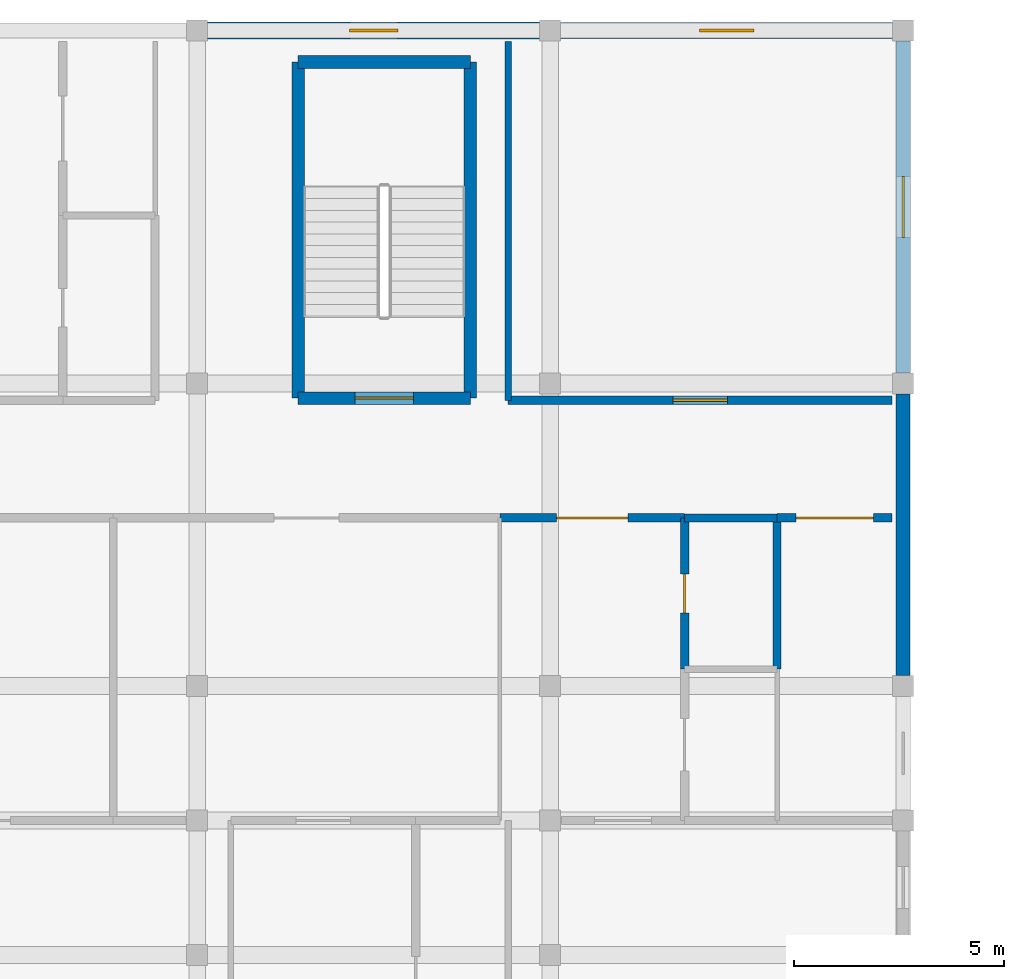
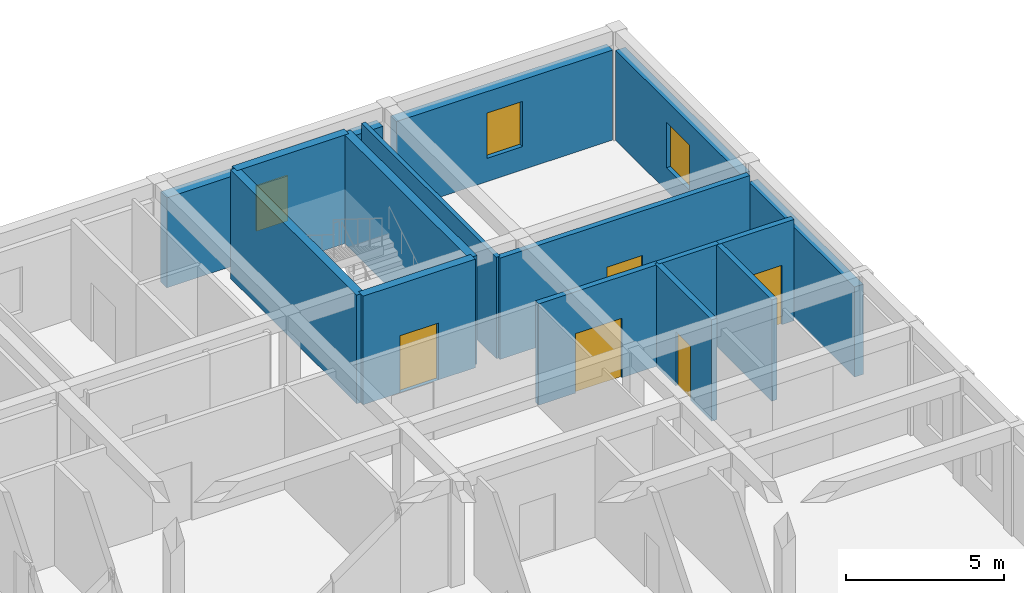
# One storey, part 18 of 26: 15 walls, 5 doors, 3 windows, 8 openings.
"""IFC4 building model written with IfcOpenShell, lengths in metres."""

from ifc_helpers import new_model, si_unit, direction, frame, frame_2d, origin, place, context, subcontext, project, spatial, rectangle, extrude, material, layer, layer_set, type_object, element, fill, save


model = new_model("IFC4")

# Units and contexts
model_context = context("Model", 3, precision=1e-05, world=origin(), true_north=direction((0.0, 1.0)))
body_context = subcontext(model_context, "Body", "Model", "MODEL_VIEW")
ifc_project = project(units=[si_unit("LENGTHUNIT", "METRE"), si_unit("AREAUNIT", "SQUARE_METRE"), si_unit("VOLUMEUNIT", "CUBIC_METRE"), si_unit("PLANEANGLEUNIT", "RADIAN"), si_unit("MASSUNIT", "GRAM", prefix="KILO")], contexts=[model_context])

# Site, building, storey
site_placement = place(None, origin())
site = spatial("IfcSite", under=ifc_project, at=site_placement, CompositionType="ELEMENT")
building_placement = place(site_placement, origin())
building = spatial("IfcBuilding", under=site, at=building_placement, Name="Varncliffe General Hospital", CompositionType="ELEMENT")
storey_placement = place(building_placement, frame((0.0, 0.0, 28.800048828125)))
storey = spatial("IfcBuildingStorey", under=building, at=storey_placement, Name="L06", CompositionType="ELEMENT", Elevation=28.800048828125)

# Wall, opening, window
ifc_material_1 = material(Name="Precast concrete C40/50 with insulated cream lime-cement stucco", Category="concrete")
ifc_layer_1 = layer(ifc_material_1, 0.3798828125)
ifc_layer_set_1 = layer_set([ifc_layer_1], Name="Precast concrete C40/50 with insulated cream lime-cement stucco")
wall_type_1 = type_object("IfcWallType", Name="Exterior Insulated Stucco Wall EW26 (380mm)", PredefinedType="SOLIDWALL", material=ifc_layer_set_1)
wall_1_placement = place(storey_placement, frame((168.248046875, 124.800048828125, 0.0), z_axis=(0.0, 0.0, 1.0), x_axis=(1.0, 0.0, 0.0)))
wall_1 = element("IfcWall", 1, at=wall_1_placement, inside=storey, type_object=wall_type_1, Name="L06 Exterior Stucco Wall EW26-524", PredefinedType="SOLIDWALL", context=body_context, shape_type="SweptSolid", body=[
    extrude(rectangle(XDim=7.904052734375, YDim=0.3798828125, at=frame_2d((3.9521484375, 0.0))), origin(), (0.0, 0.0, 1.0), 3.47998046875),
])
opening_1_placement = place(wall_1_placement, frame((3.302001953125, 0.0, 0.89990234375)))
opening_1 = element("IfcOpeningElement", 2, at=opening_1_placement, cuts=wall_1, Name="Opening WN40", PredefinedType="OPENING", context=body_context, shape_type="SweptSolid", body=[
    extrude(rectangle(XDim=1.300048828125, YDim=1.75, at=frame_2d((0.64990234375, 0.875))), frame((0.0, 0.199951171875, 0.0), z_axis=(0.0, -1.0, 0.0), x_axis=(1.0, 0.0, 0.0)), (0.0, 0.0, 1.0), 0.39990234375),
])
ifc_material_2 = material(Name="Triple low-E argon insulated vision glazing", Category="glass")
window_type_1 = type_object("IfcWindowType", Name="Triple-Glazed Hospital Window WN40 (1300x1750)", PartitioningType="SINGLE_PANEL", PredefinedType="WINDOW", material=ifc_material_2)
window_1_placement = place(opening_1_placement, origin())
window_1 = element("IfcWindow", 3, at=window_1_placement, inside=storey, type_object=window_type_1, Name="L06 Hospital Window WN40-413", OverallHeight=1.75, OverallWidth=1.300048828125, PartitioningType="SINGLE_PANEL", PredefinedType="WINDOW", context=body_context, shape_type="SweptSolid", body=[
    extrude(rectangle(XDim=1.300048828125, YDim=1.75, at=frame_2d((0.64990234375, 0.875))), frame((0.0, 0.030029296875, 0.0), z_axis=(0.0, -1.0, 0.0), x_axis=(1.0, 0.0, 0.0)), (0.0, 0.0, 1.0), 0.06005859375),
])
fill(opening_1, window_1)

# Wall
ifc_layer_2 = layer(ifc_material_1, 0.330078125)
ifc_layer_set_2 = layer_set([ifc_layer_2], Name="Precast concrete C40/50 with insulated cream lime-cement stucco")
wall_type_2 = type_object("IfcWallType", Name="Exterior Insulated Stucco Wall EW33 (330mm)", PredefinedType="SOLIDWALL", material=ifc_layer_set_2)
wall_2_placement = place(storey_placement, frame((176.39990234375, 116.152099609375, 0.0), z_axis=(0.0, 0.0, 1.0), x_axis=(0.0, -1.0, 0.0)))
element("IfcWall", 4, at=wall_2_placement, inside=storey, type_object=wall_type_2, Name="L06 Exterior Stucco Wall EW33-526", PredefinedType="SOLIDWALL", context=body_context, shape_type="SweptSolid", body=[
    extrude(rectangle(XDim=6.7041015625, YDim=0.330078125, at=frame_2d((3.35205078125, 0.0))), origin(), (0.0, 0.0, 1.0), 3.47998046875),
])

# Wall, opening, window
ifc_layer_3 = layer(ifc_material_1, 0.35009765625)
ifc_layer_set_3 = layer_set([ifc_layer_3], Name="Precast concrete C40/50 with insulated cream lime-cement stucco")
wall_type_3 = type_object("IfcWallType", Name="Exterior Insulated Stucco Wall EW37 (350mm)", PredefinedType="SOLIDWALL", material=ifc_layer_set_3)
wall_3_placement = place(storey_placement, frame((176.39990234375, 124.552001953125, 0.0), z_axis=(0.0, 0.0, 1.0), x_axis=(0.0, -1.0, 0.0)))
wall_3 = element("IfcWall", 5, at=wall_3_placement, inside=storey, type_object=wall_type_3, Name="L06 Exterior Stucco Wall EW37-525", PredefinedType="SOLIDWALL", context=body_context, shape_type="SweptSolid", body=[
    extrude(rectangle(XDim=7.904052734375, YDim=0.35009765625, at=frame_2d((3.9521484375, 0.0))), origin(), (0.0, 0.0, 1.0), 3.47998046875),
])
opening_2_placement = place(wall_3_placement, frame((3.22705078125, 0.0, 0.89990234375)))
opening_2 = element("IfcOpeningElement", 6, at=opening_2_placement, cuts=wall_3, Name="Opening WN88", PredefinedType="OPENING", context=body_context, shape_type="SweptSolid", body=[
    extrude(rectangle(XDim=1.449951171875, YDim=1.75, at=frame_2d((0.72509765625, 0.875))), frame((0.0, 0.18505859375, 0.0), z_axis=(0.0, -1.0, 0.0), x_axis=(1.0, 0.0, 0.0)), (0.0, 0.0, 1.0), 0.3701171875),
])
window_type_2 = type_object("IfcWindowType", Name="Triple-Glazed Hospital Window WN88 (1450x1750)", PartitioningType="SINGLE_PANEL", PredefinedType="WINDOW", material=ifc_material_2)
window_2_placement = place(opening_2_placement, origin())
window_2 = element("IfcWindow", 7, at=window_2_placement, inside=storey, type_object=window_type_2, Name="L06 Hospital Window WN88-414", OverallHeight=1.75, OverallWidth=1.449951171875, PartitioningType="SINGLE_PANEL", PredefinedType="WINDOW", context=body_context, shape_type="SweptSolid", body=[
    extrude(rectangle(XDim=1.449951171875, YDim=1.75, at=frame_2d((0.72509765625, 0.875))), frame((0.0, 0.030029296875, 0.0), z_axis=(0.0, -1.0, 0.0), x_axis=(1.0, 0.0, 0.0)), (0.0, 0.0, 1.0), 0.06005859375),
])
fill(opening_2, window_2)

ifc_layer_4 = layer(ifc_material_1, 0.39990234375)
ifc_layer_set_4 = layer_set([ifc_layer_4], Name="Precast concrete C40/50 with insulated cream lime-cement stucco")
wall_type_4 = type_object("IfcWallType", Name="Exterior Insulated Stucco Wall EW47 (400mm)", PredefinedType="SOLIDWALL", material=ifc_layer_set_4)
wall_4_placement = place(storey_placement, frame((159.847900390625, 124.800048828125, 0.0), z_axis=(0.0, 0.0, 1.0), x_axis=(1.0, 0.0, 0.0)))
wall_4 = element("IfcWall", 8, at=wall_4_placement, inside=storey, type_object=wall_type_4, Name="L06 Exterior Stucco Wall EW47-523", PredefinedType="SOLIDWALL", context=body_context, shape_type="SweptSolid", body=[
    extrude(rectangle(XDim=7.904052734375, YDim=0.39990234375, at=frame_2d((3.9521484375, 0.0))), origin(), (0.0, 0.0, 1.0), 3.47998046875),
])
opening_3_placement = place(wall_4_placement, frame((3.376953125, 0.0, 0.89990234375)))
opening_3 = element("IfcOpeningElement", 9, at=opening_3_placement, cuts=wall_4, Name="Opening WN60", PredefinedType="OPENING", context=body_context, shape_type="SweptSolid", body=[
    extrude(rectangle(XDim=1.14990234375, YDim=1.75, at=frame_2d((0.574951171875, 0.875))), frame((0.0, 0.2099609375, 0.0), z_axis=(0.0, -1.0, 0.0), x_axis=(1.0, 0.0, 0.0)), (0.0, 0.0, 1.0), 0.419921875),
])
window_type_3 = type_object("IfcWindowType", Name="Triple-Glazed Hospital Window WN60 (1150x1750)", PartitioningType="SINGLE_PANEL", PredefinedType="WINDOW", material=ifc_material_2)
window_3_placement = place(opening_3_placement, origin())
window_3 = element("IfcWindow", 10, at=window_3_placement, inside=storey, type_object=window_type_3, Name="L06 Hospital Window WN60-412", OverallHeight=1.75, OverallWidth=1.14990234375, PartitioningType="SINGLE_PANEL", PredefinedType="WINDOW", context=body_context, shape_type="SweptSolid", body=[
    extrude(rectangle(XDim=1.14990234375, YDim=1.75, at=frame_2d((0.574951171875, 0.875))), frame((0.0, 0.030029296875, 0.0), z_axis=(0.0, -1.0, 0.0), x_axis=(1.0, 0.0, 0.0)), (0.0, 0.0, 1.0), 0.06005859375),
])
fill(opening_3, window_3)

# Wall
ifc_material_3 = material(Name="Acoustic clinical gypsum stud partition assembly", Category="gypsum")
ifc_layer_5 = layer(ifc_material_3, 0.14990234375)
ifc_layer_set_5 = layer_set([ifc_layer_5], Name="Acoustic clinical gypsum stud partition assembly")
wall_type_5 = type_object("IfcWallType", Name="Interior Partitioning IW35 (150mm)", PredefinedType="PARTITIONING", material=ifc_layer_set_5)
wall_5_placement = place(storey_placement, frame((167.0, 116.0, 0.0), z_axis=(0.0, 0.0, 1.0), x_axis=(0.0, 1.0, 0.0)))
element("IfcWall", 11, at=wall_5_placement, inside=storey, type_object=wall_type_5, Name="L06 Interior Partition Wall IW35-2324", PredefinedType="PARTITIONING", context=body_context, shape_type="SweptSolid", body=[
    extrude(rectangle(XDim=8.5400390625, YDim=0.14990234375, at=frame_2d((4.27001953125, 0.0))), origin(), (0.0, 0.0, 1.0), 3.919921875),
])

# Wall, opening, door
ifc_material_4 = material(Name="Fire-rated gypsum and mineral-wool partition assembly", Category="gypsum")
ifc_layer_6 = layer(ifc_material_4, 0.199951171875)
ifc_layer_set_6 = layer_set([ifc_layer_6], Name="Fire-rated gypsum and mineral-wool partition assembly")
wall_type_6 = type_object("IfcWallType", Name="Interior Partitioning PW63 (200mm)", PredefinedType="PARTITIONING", material=ifc_layer_set_6)
wall_6_placement = place(storey_placement, frame((166.800048828125, 113.199951171875, 0.0), z_axis=(0.0, 0.0, 1.0), x_axis=(1.0, 0.0, 0.0)))
wall_6 = element("IfcWall", 12, at=wall_6_placement, inside=storey, type_object=wall_type_6, Name="L06 Interior Partition Wall PW63-2233", PredefinedType="PARTITIONING", context=body_context, shape_type="SweptSolid", body=[
    extrude(rectangle(XDim=4.39990234375, YDim=0.199951171875, at=frame_2d((2.199951171875, 0.0))), origin(), (0.0, 0.0, 1.0), 3.919921875),
])
opening_4_placement = place(wall_6_placement, frame((1.35009765625, 0.0, 0.0)))
opening_4 = element("IfcOpeningElement", 13, at=opening_4_placement, cuts=wall_6, Name="Opening DC50", PredefinedType="OPENING", context=body_context, shape_type="SweptSolid", body=[
    extrude(rectangle(XDim=1.699951171875, YDim=2.300048828125, at=frame_2d((0.85009765625, 1.14990234375))), frame((0.0, 0.10986328125, 0.0), z_axis=(0.0, -1.0, 0.0), x_axis=(1.0, 0.0, 0.0)), (0.0, 0.0, 1.0), 0.219970703125),
])
ifc_material_5 = material(Name="Fire-rated hospital steel-frame vision-panel door", Category="steel")
door_type_1 = type_object("IfcDoorType", Name="Interior Hospital Door DC50 (1700x2300)", OperationType="NOTDEFINED", PredefinedType="DOOR", material=ifc_material_5)
door_1_placement = place(opening_4_placement, frame((1.699951171875, 0.0, 0.0), z_axis=(0.0, 0.0, 1.0), x_axis=(-1.0, 0.0, 0.0)))
door_1 = element("IfcDoor", 14, at=door_1_placement, inside=storey, type_object=door_type_1, Name="L06 Paediatric Inpatient Bedroom 43 Door", OperationType="SINGLE_SWING_LEFT", OverallHeight=2.300048828125, OverallWidth=1.699951171875, PredefinedType="DOOR", context=body_context, shape_type="SweptSolid", body=[
    extrude(rectangle(XDim=1.699951171875, YDim=2.300048828125, at=frame_2d((0.85009765625, 1.14990234375))), frame((0.0, 0.02490234375, 0.0), z_axis=(0.0, -1.0, 0.0), x_axis=(1.0, 0.0, 0.0)), (0.0, 0.0, 1.0), 0.050048828125),
])
fill(opening_4, door_1)

wall_7_placement = place(storey_placement, frame((173.39990234375, 113.199951171875, 0.0), z_axis=(0.0, 0.0, 1.0), x_axis=(1.0, 0.0, 0.0)))
wall_7 = element("IfcWall", 15, at=wall_7_placement, inside=storey, type_object=wall_type_6, Name="L06 Interior Partition Wall PW63-2235", PredefinedType="PARTITIONING", context=body_context, shape_type="SweptSolid", body=[
    extrude(rectangle(XDim=2.739990234375, YDim=0.199951171875, at=frame_2d((1.3701171875, 0.0))), origin(), (0.0, 0.0, 1.0), 3.919921875),
])
opening_5_placement = place(wall_7_placement, frame((0.445068359375, 0.0, 0.0)))
opening_5 = element("IfcOpeningElement", 16, at=opening_5_placement, cuts=wall_7, Name="Opening DC38", PredefinedType="OPENING", context=body_context, shape_type="SweptSolid", body=[
    extrude(rectangle(XDim=1.85009765625, YDim=2.300048828125, at=frame_2d((0.925048828125, 1.14990234375))), frame((0.0, 0.10986328125, 0.0), z_axis=(0.0, -1.0, 0.0), x_axis=(1.0, 0.0, 0.0)), (0.0, 0.0, 1.0), 0.219970703125),
])
door_type_2 = type_object("IfcDoorType", Name="Interior Hospital Door DC38 (1850x2300)", OperationType="NOTDEFINED", PredefinedType="DOOR", material=ifc_material_5)
door_2_placement = place(opening_5_placement, frame((1.85009765625, 0.0, 0.0), z_axis=(0.0, 0.0, 1.0), x_axis=(-1.0, 0.0, 0.0)))
door_2 = element("IfcDoor", 17, at=door_2_placement, inside=storey, type_object=door_type_2, Name="L06 Paediatric Playroom and Daylight Lounge 46 Door", OperationType="SINGLE_SWING_RIGHT", OverallHeight=2.300048828125, OverallWidth=1.85009765625, PredefinedType="DOOR", context=body_context, shape_type="SweptSolid", body=[
    extrude(rectangle(XDim=1.85009765625, YDim=2.300048828125, at=frame_2d((0.925048828125, 1.14990234375))), frame((0.0, 0.02490234375, 0.0), z_axis=(0.0, -1.0, 0.0), x_axis=(1.0, 0.0, 0.0)), (0.0, 0.0, 1.0), 0.050048828125),
])
fill(opening_5, door_2)

wall_8_placement = place(storey_placement, frame((167.0, 116.0, 0.0), z_axis=(0.0, 0.0, 1.0), x_axis=(1.0, 0.0, 0.0)))
wall_8 = element("IfcWall", 18, at=wall_8_placement, inside=storey, type_object=wall_type_6, Name="L06 Interior Partition Wall PW63-2245", PredefinedType="PARTITIONING", context=body_context, shape_type="SweptSolid", body=[
    extrude(rectangle(XDim=9.139892578125, YDim=0.199951171875, at=frame_2d((4.56982421875, 0.0))), origin(), (0.0, 0.0, 1.0), 3.919921875),
])
opening_6_placement = place(wall_8_placement, frame((3.919921875, 0.0, 0.0)))
opening_6 = element("IfcOpeningElement", 19, at=opening_6_placement, cuts=wall_8, Name="Opening DC88", PredefinedType="OPENING", context=body_context, shape_type="SweptSolid", body=[
    extrude(rectangle(XDim=1.300048828125, YDim=2.199951171875, at=frame_2d((0.64990234375, 1.10009765625))), frame((0.0, 0.10986328125, 0.0), z_axis=(0.0, -1.0, 0.0), x_axis=(1.0, 0.0, 0.0)), (0.0, 0.0, 1.0), 0.219970703125),
])
door_type_3 = type_object("IfcDoorType", Name="Interior Hospital Door DC88 (1300x2200)", OperationType="NOTDEFINED", PredefinedType="DOOR", material=ifc_material_5)
door_3_placement = place(opening_6_placement, origin())
door_3 = element("IfcDoor", 20, at=door_3_placement, inside=storey, type_object=door_type_3, Name="L06 Paediatric Playroom and Daylight Lounge 53 Door", OperationType="SINGLE_SWING_LEFT", OverallHeight=2.199951171875, OverallWidth=1.300048828125, PredefinedType="DOOR", context=body_context, shape_type="SweptSolid", body=[
    extrude(rectangle(XDim=1.300048828125, YDim=2.199951171875, at=frame_2d((0.64990234375, 1.10009765625))), frame((0.0, 0.02490234375, 0.0), z_axis=(0.0, -1.0, 0.0), x_axis=(1.0, 0.0, 0.0)), (0.0, 0.0, 1.0), 0.050048828125),
])
fill(opening_6, door_3)

wall_9_placement = place(storey_placement, frame((171.199951171875, 109.60009765625, 0.0), z_axis=(0.0, 0.0, 1.0), x_axis=(0.0, 1.0, 0.0)))
wall_9 = element("IfcWall", 21, at=wall_9_placement, inside=storey, type_object=wall_type_6, Name="L06 Interior Partition Wall PW63-2326", PredefinedType="PARTITIONING", context=body_context, shape_type="SweptSolid", body=[
    extrude(rectangle(XDim=3.599853515625, YDim=0.199951171875, at=frame_2d((1.7998046875, 0.0))), origin(), (0.0, 0.0, 1.0), 3.919921875),
])
opening_7_placement = place(wall_9_placement, frame((1.340087890625, 0.0, 0.0)))
opening_7 = element("IfcOpeningElement", 22, at=opening_7_placement, cuts=wall_9, Name="Opening DI70", PredefinedType="OPENING", context=body_context, shape_type="SweptSolid", body=[
    extrude(rectangle(XDim=0.919921875, YDim=2.10009765625, at=frame_2d((0.4599609375, 1.050048828125))), frame((0.0, 0.10986328125, 0.0), z_axis=(0.0, -1.0, 0.0), x_axis=(1.0, 0.0, 0.0)), (0.0, 0.0, 1.0), 0.219970703125),
])
ifc_material_6 = material(Name="Solid-core antimicrobial hospital oak veneer door", Category="wood")
door_type_4 = type_object("IfcDoorType", Name="Interior Hospital Door DI70 (920x2100)", OperationType="NOTDEFINED", PredefinedType="DOOR", material=ifc_material_6)
door_4_placement = place(opening_7_placement, frame((0.919921875, 0.0, 0.0), z_axis=(0.0, 0.0, 1.0), x_axis=(-1.0, 0.0, 0.0)))
door_4 = element("IfcDoor", 23, at=door_4_placement, inside=storey, type_object=door_type_4, Name="L06 En-Suite Bathroom 44 Door", OperationType="SINGLE_SWING_RIGHT", OverallHeight=2.10009765625, OverallWidth=0.919921875, PredefinedType="DOOR", context=body_context, shape_type="SweptSolid", body=[
    extrude(rectangle(XDim=0.919921875, YDim=2.10009765625, at=frame_2d((0.4599609375, 1.050048828125))), frame((0.0, 0.02490234375, 0.0), z_axis=(0.0, -1.0, 0.0), x_axis=(1.0, 0.0, 0.0)), (0.0, 0.0, 1.0), 0.050048828125),
])
fill(opening_7, door_4)

# Walls
ifc_material_7 = material(Name="Moisture-resistant plumbing chase wall assembly", Category="gypsum")
ifc_layer_7 = layer(ifc_material_7, 0.18994140625)
ifc_layer_set_7 = layer_set([ifc_layer_7], Name="Moisture-resistant plumbing chase wall assembly")
wall_type_7 = type_object("IfcWallType", Name="Interior Plumbingwall MW17 (190mm)", PredefinedType="PLUMBINGWALL", material=ifc_layer_set_7)
wall_10_placement = place(storey_placement, frame((171.199951171875, 113.199951171875, 0.0), z_axis=(0.0, 0.0, 1.0), x_axis=(1.0, 0.0, 0.0)))
element("IfcWall", 24, at=wall_10_placement, inside=storey, type_object=wall_type_7, Name="L06 Interior Plumbing Wall MW17-2234", PredefinedType="PLUMBINGWALL", context=body_context, shape_type="SweptSolid", body=[
    extrude(rectangle(XDim=2.199951171875, YDim=0.18994140625, at=frame_2d((1.10009765625, 0.0))), origin(), (0.0, 0.0, 1.0), 3.919921875),
])
wall_11_placement = place(storey_placement, frame((173.39990234375, 109.60009765625, 0.0), z_axis=(0.0, 0.0, 1.0), x_axis=(0.0, 1.0, 0.0)))
element("IfcWall", 25, at=wall_11_placement, inside=storey, type_object=wall_type_7, Name="L06 Interior Plumbing Wall MW17-2328", PredefinedType="PLUMBINGWALL", context=body_context, shape_type="SweptSolid", body=[
    extrude(rectangle(XDim=3.599853515625, YDim=0.18994140625, at=frame_2d((1.7998046875, 0.0))), origin(), (0.0, 0.0, 1.0), 3.919921875),
])
ifc_material_8 = material(Name="Concrete C40/50 (CSA A23.1 40 MPa)", Category="concrete")
ifc_layer_8 = layer(ifc_material_8, 0.300048828125)
ifc_layer_set_8 = layer_set([ifc_layer_8], Name="Concrete C40/50 (CSA A23.1 40 MPa)")
wall_type_8 = type_object("IfcWallType", Name="Reinforced Concrete Core Shear Wall CW12 (300mm)", PredefinedType="SHEAR", material=ifc_layer_set_8)
wall_12_placement = place(storey_placement, frame((166.10009765625, 116.050048828125, 0.0), z_axis=(0.0, 0.0, 1.0), x_axis=(0.0, 1.0, 0.0)))
element("IfcWall", 26, at=wall_12_placement, inside=storey, type_object=wall_type_8, Name="L06 ST04 Core Shear Wall L", PredefinedType="SHEAR", context=body_context, shape_type="SweptSolid", body=[
    extrude(rectangle(XDim=8.0, YDim=0.300048828125, at=frame_2d((4.0, 0.0))), origin(), (0.0, 0.0, 1.0), 4.199951171875),
])
wall_13_placement = place(storey_placement, frame((166.10009765625, 124.050048828125, 0.0), z_axis=(0.0, 0.0, 1.0), x_axis=(-1.0, 0.0, 0.0)))
element("IfcWall", 27, at=wall_13_placement, inside=storey, type_object=wall_type_8, Name="L06 ST04 Core Shear Wall F", PredefinedType="SHEAR", context=body_context, shape_type="SweptSolid", body=[
    extrude(rectangle(XDim=4.10009765625, YDim=0.300048828125, at=frame_2d((2.050048828125, 0.0))), origin(), (0.0, 0.0, 1.0), 4.199951171875),
])
wall_14_placement = place(storey_placement, frame((162.0, 124.050048828125, 0.0), z_axis=(0.0, 0.0, 1.0), x_axis=(0.0, -1.0, 0.0)))
element("IfcWall", 28, at=wall_14_placement, inside=storey, type_object=wall_type_8, Name="L06 ST04 Core Shear Wall R", PredefinedType="SHEAR", context=body_context, shape_type="SweptSolid", body=[
    extrude(rectangle(XDim=8.0, YDim=0.300048828125, at=frame_2d((4.0, 0.0))), origin(), (0.0, 0.0, 1.0), 4.199951171875),
])

# Wall, opening, door
wall_15_placement = place(storey_placement, frame((162.0, 116.050048828125, 0.0), z_axis=(0.0, 0.0, 1.0), x_axis=(1.0, 0.0, 0.0)))
wall_15 = element("IfcWall", 29, at=wall_15_placement, inside=storey, type_object=wall_type_8, Name="L06 ST04 Core Shear Wall N", PredefinedType="SHEAR", context=body_context, shape_type="SweptSolid", body=[
    extrude(rectangle(XDim=4.10009765625, YDim=0.300048828125, at=frame_2d((2.050048828125, 0.0))), origin(), (0.0, 0.0, 1.0), 4.199951171875),
])
opening_8_placement = place(wall_15_placement, frame((1.35009765625, 0.0, 0.0)))
opening_8 = element("IfcOpeningElement", 30, at=opening_8_placement, cuts=wall_15, Name="Opening DF81", PredefinedType="OPENING", context=body_context, shape_type="SweptSolid", body=[
    extrude(rectangle(XDim=1.39990234375, YDim=2.199951171875, at=frame_2d((0.699951171875, 1.10009765625))), frame((0.0, 0.16015625, 0.0), z_axis=(0.0, -1.0, 0.0), x_axis=(1.0, 0.0, 0.0)), (0.0, 0.0, 1.0), 0.320068359375),
])
door_type_5 = type_object("IfcDoorType", Name="Interior Hospital Door DF81 (1400x2200)", OperationType="NOTDEFINED", PredefinedType="DOOR", material=ifc_material_5)
door_5_placement = place(opening_8_placement, frame((1.39990234375, 0.0, 0.0), z_axis=(0.0, 0.0, 1.0), x_axis=(-1.0, 0.0, 0.0)))
door_5 = element("IfcDoor", 31, at=door_5_placement, inside=storey, type_object=door_type_5, Name="L06 ST04 Protected Exit Stair Door", OperationType="SINGLE_SWING_LEFT", OverallHeight=2.199951171875, OverallWidth=1.39990234375, PredefinedType="DOOR", context=body_context, shape_type="SweptSolid", body=[
    extrude(rectangle(XDim=1.39990234375, YDim=2.199951171875, at=frame_2d((0.699951171875, 1.10009765625))), frame((0.0, 0.02490234375, 0.0), z_axis=(0.0, -1.0, 0.0), x_axis=(1.0, 0.0, 0.0)), (0.0, 0.0, 1.0), 0.050048828125),
])
fill(opening_8, door_5)

save(model, "model.ifc")
